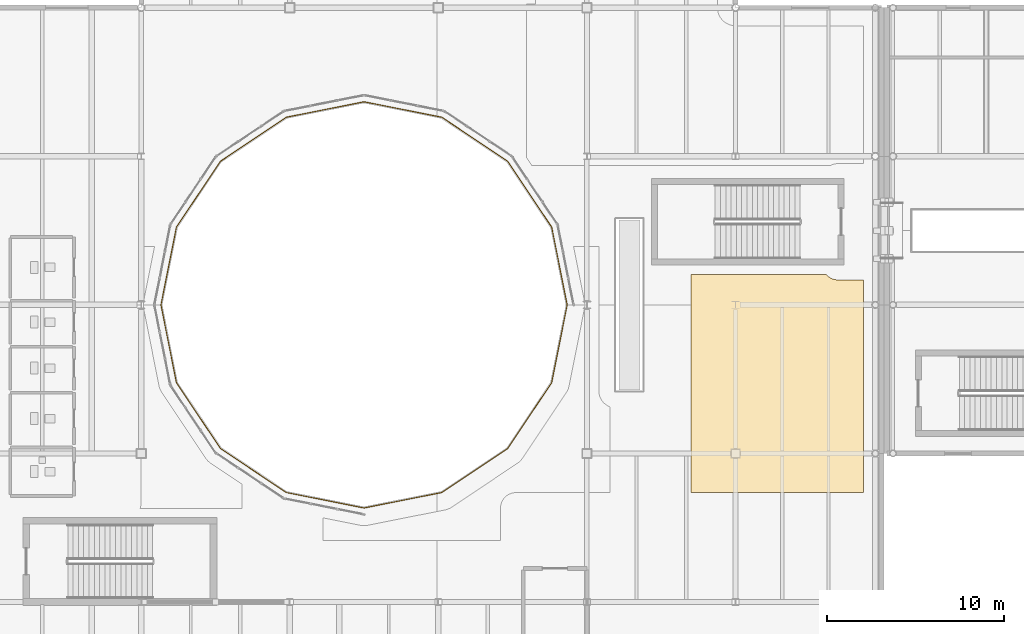
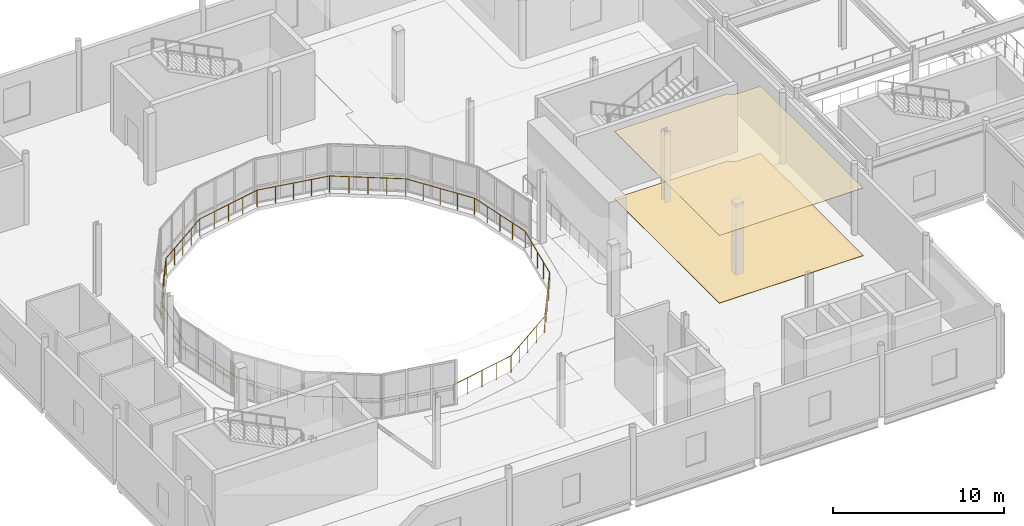
# One storey, part 88 of 103: 2 coverings, 1 railing.
"""IFC4 building model written with IfcOpenShell, lengths in metres."""

from ifc_helpers import new_model, si_unit, direction, frame, origin, origin_2d, place, context, subcontext, project, spatial, polyline, circle, outline, extrude, material, layer, layer_set, type_object, element, save


model = new_model("IFC4")

# Units and contexts
model_context = context("Model", 3, precision=1e-05, world=origin(), true_north=direction((0.0, 1.0)))
body_context = subcontext(model_context, "Body", "Model", "MODEL_VIEW")
ifc_project = project(units=[si_unit("LENGTHUNIT", "METRE"), si_unit("AREAUNIT", "SQUARE_METRE"), si_unit("VOLUMEUNIT", "CUBIC_METRE"), si_unit("PLANEANGLEUNIT", "RADIAN"), si_unit("MASSUNIT", "GRAM", prefix="KILO"), si_unit("THERMODYNAMICTEMPERATUREUNIT", "KELVIN")], contexts=[model_context])

# Site, building, storey
site_placement = place(None, origin())
site = spatial("IfcSite", under=ifc_project, at=site_placement, CompositionType="ELEMENT")
building_placement = place(site_placement, origin())
building = spatial("IfcBuilding", under=site, at=building_placement, Name="Lustrewick Department Store", CompositionType="ELEMENT")
storey_placement = place(building_placement, frame((0.0, 0.0, 16.5)))
storey = spatial("IfcBuildingStorey", under=building, at=storey_placement, Name="L04", CompositionType="ELEMENT", Elevation=16.5)

# Coverings
ifc_material_1 = material(Name="Perforated mineral-fibre acoustic ceiling board", Category="gypsum")
ifc_layer_1 = layer(ifc_material_1, 0.02490234375, Name="Perforated mineral-fibre acoustic ceiling board")
ifc_layer_set_1 = layer_set([ifc_layer_1], Name="Perforated mineral-fibre acoustic ceiling board")
covering_type_1 = type_object("IfcCoveringType", Name="COV-CEIL", PredefinedType="CEILING", material=ifc_layer_set_1)
covering_1_placement = place(storey_placement, frame((0.0, 0.0, 4.820068359375)))
element("IfcCovering", 1, at=covering_1_placement, inside=storey, type_object=covering_type_1, Name="L04 V1 Retail Merchandise Gallery 2 Acoustic Ceiling", PredefinedType="CEILING", context=body_context, shape_type="SweptSolid", body=[
    extrude(outline(polyline([(55.535400390625, 68.909912109375), (47.889892578125, 68.909912109375), (47.889892578125, 56.580078125), (57.6298828125, 56.580078125), (57.6298828125, 68.610107421875), (56.197021484375, 68.610107421875), (56.1123046875, 68.6142578125), (56.0283203125, 68.626708984375), (56.02490234375, 68.62744140625), (56.007568359375, 68.631103515625), (56.00439453125, 68.6318359375), (55.92138671875, 68.654541015625), (55.841552734375, 68.685302734375), (55.8388671875, 68.6865234375), (55.836181640625, 68.687744140625), (55.76953125, 68.72119140625), (55.765625, 68.723388671875), (55.7041015625, 68.760986328125), (55.64599609375, 68.803466796875), (55.641357421875, 68.80712890625), (55.570556640625, 68.87060546875), (55.535400390625, 68.909912109375)])), origin(), (0.0, 0.0, 1.0), 0.02490234375),
])
ifc_material_2 = material(Name="Polished terrazzo and porcelain floor finish", Category="masonry")
ifc_layer_2 = layer(ifc_material_2, 0.02001953125, Name="Polished terrazzo and porcelain floor finish")
ifc_layer_set_2 = layer_set([ifc_layer_2], Name="Polished terrazzo and porcelain floor finish")
covering_type_2 = type_object("IfcCoveringType", Name="COV-FLR", PredefinedType="FLOORING", material=ifc_layer_set_2)
covering_2_placement = place(storey_placement, origin())
element("IfcCovering", 2, at=covering_2_placement, inside=storey, type_object=covering_type_2, Name="L04 V1 Retail Merchandise Gallery 2 Terrazzo Flooring", PredefinedType="FLOORING", context=body_context, shape_type="SweptSolid", body=[
    extrude(outline(polyline([(55.535400390625, 68.909912109375), (47.889892578125, 68.909912109375), (47.889892578125, 56.580078125), (57.6298828125, 56.580078125), (57.6298828125, 68.610107421875), (56.197021484375, 68.610107421875), (56.1123046875, 68.6142578125), (56.0283203125, 68.626708984375), (56.02490234375, 68.62744140625), (56.007568359375, 68.631103515625), (56.00439453125, 68.6318359375), (55.92138671875, 68.654541015625), (55.841552734375, 68.685302734375), (55.8388671875, 68.6865234375), (55.836181640625, 68.687744140625), (55.76953125, 68.72119140625), (55.765625, 68.723388671875), (55.7041015625, 68.760986328125), (55.64599609375, 68.803466796875), (55.641357421875, 68.80712890625), (55.570556640625, 68.87060546875), (55.535400390625, 68.909912109375)])), origin(), (0.0, 0.0, 1.0), 0.02001953125),
])

# Railing
ifc_material_3 = material(Name="Laminated safety glass and bronze atrium balustrade", Category="glass")
railing_type = type_object("IfcRailingType", Name="RL-BAL", PredefinedType="BALUSTRADE", material=ifc_material_3)
railing_placement = place(storey_placement, frame((40.87841796875, 67.184326171875, 0.0)))
element("IfcRailing", 3, at=railing_placement, inside=storey, type_object=railing_type, Name="L04 Atrium Void Balustrade 0036", PredefinedType="BALUSTRADE", context=body_context, shape_type="SweptSolid", body=[
    extrude(circle(Radius=0.02392578125, at=origin_2d()), frame((0.0, 0.0, 1.17578125), z_axis=(-0.195071045556, -0.980789114533, 0.0), x_axis=(0.980789114533, -0.195071045556, 0.0)), (0.0, 0.0, 1.0), 4.447998046875),
    extrude(circle(Radius=0.02392578125, at=origin_2d()), frame((-0.86767578125, -4.362548828125, 1.17578125), z_axis=(-0.249878019022, -0.968277323709, 0.0), x_axis=(0.968277323709, -0.249878019022, 0.0)), (0.0, 0.0, 1.0), 0.0078125),
    extrude(circle(Radius=0.02392578125, at=origin_2d()), frame((-0.86962890625, -4.3701171875, 1.17578125), z_axis=(-0.344254649158, -0.938876315887, 0.0), x_axis=(0.938876315887, -0.344254649158, 0.0)), (0.0, 0.0, 1.0), 0.0078125),
    extrude(circle(Radius=0.02392578125, at=origin_2d()), frame((-0.872314453125, -4.37744140625, 1.17578125), z_axis=(-0.434749065831, -0.900551636365, 0.0), x_axis=(0.900551636365, -0.434749065831, 0.0)), (0.0, 0.0, 1.0), 0.0078125),
    extrude(circle(Radius=0.02392578125, at=origin_2d()), frame((-0.875732421875, -4.384521484375, 1.17578125), z_axis=(-0.496138938357, -0.868243142124, 0.0), x_axis=(0.868243142124, -0.496138938357, 0.0)), (0.0, 0.0, 1.0), 0.0078125),
    extrude(circle(Radius=0.02392578125, at=origin_2d()), frame((-0.879638671875, -4.391357421875, 1.17578125), z_axis=(-0.555561194947, -0.831475651279, 0.0), x_axis=(0.831475651279, -0.555561194947, 0.0)), (0.0, 0.0, 1.0), 4.447998046875),
    extrude(circle(Radius=0.02392578125, at=origin_2d()), frame((-3.350830078125, -8.08984375, 1.17578125), z_axis=(-0.60971076085, -0.792623989105, 0.0), x_axis=(0.792623989105, -0.60971076085, 0.0)), (0.0, 0.0, 1.0), 0.008056640625),
    extrude(circle(Radius=0.02392578125, at=origin_2d()), frame((-3.355712890625, -8.09619140625, 1.17578125), z_axis=(-0.674269364021, -0.738485493928, 0.0), x_axis=(0.738485493928, -0.674269364021, 0.0)), (0.0, 0.0, 1.0), 0.007568359375),
    extrude(circle(Radius=0.02392578125, at=origin_2d()), frame((-3.36083984375, -8.101806640625, 1.17578125), z_axis=(-0.737154140201, -0.675724628517, 0.0), x_axis=(0.675724628517, -0.737154140201, 0.0)), (0.0, 0.0, 1.0), 0.008056640625),
    extrude(circle(Radius=0.02392578125, at=origin_2d()), frame((-3.36669921875, -8.107177734375, 1.17578125), z_axis=(-0.807391122258, -0.590016589342, 0.0), x_axis=(0.590016589342, -0.807391122258, 0.0)), (0.0, 0.0, 1.0), 0.0078125),
    extrude(circle(Radius=0.02392578125, at=origin_2d()), frame((-3.373046875, -8.11181640625, 1.17578125), z_axis=(-0.831475651279, -0.555561194947, 0.0), x_axis=(0.555561194947, -0.831475651279, 0.0)), (0.0, 0.0, 1.0), 4.447998046875),
    extrude(circle(Radius=0.02392578125, at=origin_2d()), frame((-7.071533203125, -10.5830078125, 1.17578125), z_axis=(-0.84623284009, -0.532813269686, 0.0), x_axis=(0.532813269686, -0.84623284009, 0.0)), (0.0, 0.0, 1.0), 0.0078125),
    extrude(circle(Radius=0.02392578125, at=origin_2d()), frame((-7.078125, -10.587158203125, 1.17578125), z_axis=(-0.912509324515, -0.409055904093, 0.0), x_axis=(0.409055904093, -0.912509324515, 0.0)), (0.0, 0.0, 1.0), 0.0078125),
    extrude(circle(Radius=0.02392578125, at=origin_2d()), frame((-7.085205078125, -10.59033203125, 1.17578125), z_axis=(-0.938876315887, -0.344254649158, 0.0), x_axis=(0.344254649158, -0.938876315887, 0.0)), (0.0, 0.0, 1.0), 0.0078125),
    extrude(circle(Radius=0.02392578125, at=origin_2d()), frame((-7.092529296875, -10.593017578125, 1.17578125), z_axis=(-0.968277323709, -0.249878019022, 0.0), x_axis=(0.249878019022, -0.968277323709, 0.0)), (0.0, 0.0, 1.0), 0.0078125),
    extrude(circle(Radius=0.02392578125, at=origin_2d()), frame((-7.10009765625, -10.594970703125, 1.17578125), z_axis=(-0.980780701472, -0.195113340444, 0.0), x_axis=(0.195113340444, -0.980780701472, 0.0)), (0.0, 0.0, 1.0), 4.4482421875),
    extrude(circle(Radius=0.02392578125, at=origin_2d()), frame((-11.462890625, -11.462890625, 1.17578125), z_axis=(-0.992277876714, -0.124034734589, 0.0), x_axis=(0.124034734589, -0.992277876714, 0.0)), (0.0, 0.0, 1.0), 0.0078125),
    extrude(circle(Radius=0.02392578125, at=origin_2d()), frame((-11.470703125, -11.4638671875, 1.17578125), z_axis=(-0.998052578483, -0.062378286155, 0.0), x_axis=(0.062378286155, -0.998052578483, 0.0)), (0.0, 0.0, 1.0), 0.0078125),
    extrude(circle(Radius=0.02392578125, at=origin_2d()), frame((-11.478515625, -11.46435546875, 1.17578125), z_axis=(-0.998052578483, 0.062378286155, 0.0), x_axis=(-0.062378286155, -0.998052578483, 0.0)), (0.0, 0.0, 1.0), 0.0078125),
    extrude(circle(Radius=0.02392578125, at=origin_2d()), frame((-11.486328125, -11.4638671875, 1.17578125), z_axis=(-0.991777866634, 0.12797133763, 0.0), x_axis=(-0.12797133763, -0.991777866634, 0.0)), (0.0, 0.0, 1.0), 0.007568359375),
    extrude(circle(Radius=0.02392578125, at=origin_2d()), frame((-11.493896484375, -11.462890625, 1.17578125), z_axis=(-0.980780701472, 0.195113340444, 0.0), x_axis=(-0.195113340444, -0.980780701472, 0.0)), (0.0, 0.0, 1.0), 4.4482421875),
    extrude(circle(Radius=0.02392578125, at=origin_2d()), frame((-15.856689453125, -10.594970703125, 1.17578125), z_axis=(-0.968277323709, 0.249878019022, 0.0), x_axis=(-0.249878019022, -0.968277323709, 0.0)), (0.0, 0.0, 1.0), 0.0078125),
    extrude(circle(Radius=0.02392578125, at=origin_2d()), frame((-15.8642578125, -10.593017578125, 1.17578125), z_axis=(-0.938876315887, 0.344254649158, 0.0), x_axis=(-0.344254649158, -0.938876315887, 0.0)), (0.0, 0.0, 1.0), 0.0078125),
    extrude(circle(Radius=0.02392578125, at=origin_2d()), frame((-15.87158203125, -10.59033203125, 1.17578125), z_axis=(-0.912509324515, 0.409055904093, 0.0), x_axis=(-0.409055904093, -0.912509324515, 0.0)), (0.0, 0.0, 1.0), 0.0078125),
    extrude(circle(Radius=0.02392578125, at=origin_2d()), frame((-15.878662109375, -10.587158203125, 1.17578125), z_axis=(-0.854787515222, 0.518978134242, 0.0), x_axis=(-0.518978134242, -0.854787515222, 0.0)), (0.0, 0.0, 1.0), 0.008056640625),
    extrude(circle(Radius=0.02392578125, at=origin_2d()), frame((-15.885498046875, -10.5830078125, 1.17578125), z_axis=(-0.831458709496, 0.555586549876, 0.0), x_axis=(-0.555586549876, -0.831458709496, 0.0)), (0.0, 0.0, 1.0), 4.447998046875),
    extrude(circle(Radius=0.02392578125, at=origin_2d()), frame((-19.583740234375, -8.11181640625, 1.17578125), z_axis=(-0.817806419301, 0.575493406175, 0.0), x_axis=(-0.575493406175, -0.817806419301, 0.0)), (0.0, 0.0, 1.0), 0.008056640625),
    extrude(circle(Radius=0.02392578125, at=origin_2d()), frame((-19.59033203125, -8.107177734375, 1.17578125), z_axis=(-0.722641857148, 0.691222645967, 0.0), x_axis=(-0.691222645967, -0.722641857148, 0.0)), (0.0, 0.0, 1.0), 0.0078125),
    extrude(circle(Radius=0.02392578125, at=origin_2d()), frame((-19.595947265625, -8.101806640625, 1.17578125), z_axis=(-0.691222645967, 0.722641857148, 0.0), x_axis=(-0.722641857148, -0.691222645967, 0.0)), (0.0, 0.0, 1.0), 0.0078125),
    extrude(circle(Radius=0.02392578125, at=origin_2d()), frame((-19.601318359375, -8.09619140625, 1.17578125), z_axis=(-0.590016589342, 0.807391122258, 0.0), x_axis=(-0.807391122258, -0.590016589342, 0.0)), (0.0, 0.0, 1.0), 0.0078125),
    extrude(circle(Radius=0.02392578125, at=origin_2d()), frame((-19.60595703125, -8.08984375, 1.17578125), z_axis=(-0.555561194947, 0.831475651279, 0.0), x_axis=(-0.831475651279, -0.555561194947, 0.0)), (0.0, 0.0, 1.0), 4.447998046875),
    extrude(circle(Radius=0.02392578125, at=origin_2d()), frame((-22.0771484375, -4.391357421875, 1.17578125), z_axis=(-0.518978134242, 0.854787515222, 0.0), x_axis=(-0.854787515222, -0.518978134242, 0.0)), (0.0, 0.0, 1.0), 0.008056640625),
    extrude(circle(Radius=0.02392578125, at=origin_2d()), frame((-22.081298828125, -4.384521484375, 1.17578125), z_axis=(-0.409055904093, 0.912509324515, 0.0), x_axis=(-0.912509324515, -0.409055904093, 0.0)), (0.0, 0.0, 1.0), 0.0078125),
    extrude(circle(Radius=0.02392578125, at=origin_2d()), frame((-22.08447265625, -4.37744140625, 1.17578125), z_axis=(-0.344254649158, 0.938876315887, 0.0), x_axis=(-0.938876315887, -0.344254649158, 0.0)), (0.0, 0.0, 1.0), 0.0078125),
    extrude(circle(Radius=0.02392578125, at=origin_2d()), frame((-22.087158203125, -4.3701171875, 1.17578125), z_axis=(-0.249878019022, 0.968277323709, 0.0), x_axis=(-0.968277323709, -0.249878019022, 0.0)), (0.0, 0.0, 1.0), 0.0078125),
    extrude(circle(Radius=0.02392578125, at=origin_2d()), frame((-22.089111328125, -4.362548828125, 1.17578125), z_axis=(-0.195123843826, 0.980778611905, 0.0), x_axis=(-0.980778611905, -0.195123843826, 0.0)), (0.0, 0.0, 1.0), 4.447998046875),
    extrude(circle(Radius=0.02392578125, at=origin_2d()), frame((-22.95703125, 0.0, 1.17578125), z_axis=(-0.124034734589, 0.992277876714, 0.0), x_axis=(-0.992277876714, -0.124034734589, 0.0)), (0.0, 0.0, 1.0), 0.0078125),
    extrude(circle(Radius=0.02392578125, at=origin_2d()), frame((-22.9580078125, 0.0078125, 1.17578125), z_axis=(-0.062378286155, 0.998052578483, 0.0), x_axis=(-0.998052578483, -0.062378286155, 0.0)), (0.0, 0.0, 1.0), 0.0078125),
    extrude(circle(Radius=0.02392578125, at=origin_2d()), frame((-22.95849609375, 0.015625, 1.17578125), z_axis=(0.062378286155, 0.998052578483, 0.0), x_axis=(-0.998052578483, 0.062378286155, 0.0)), (0.0, 0.0, 1.0), 0.0078125),
    extrude(circle(Radius=0.02392578125, at=origin_2d()), frame((-22.9580078125, 0.0234375, 1.17578125), z_axis=(0.124034734589, 0.992277876714, 0.0), x_axis=(-0.992277876714, 0.124034734589, 0.0)), (0.0, 0.0, 1.0), 0.0078125),
    extrude(circle(Radius=0.02392578125, at=origin_2d()), frame((-22.95703125, 0.03125, 1.17578125), z_axis=(0.195123843826, 0.980778611905, 0.0), x_axis=(-0.980778611905, 0.195123843826, 0.0)), (0.0, 0.0, 1.0), 4.447998046875),
    extrude(circle(Radius=0.02392578125, at=origin_2d()), frame((-22.089111328125, 4.393798828125, 1.17578125), z_axis=(0.249878019022, 0.968277323709, 0.0), x_axis=(-0.968277323709, 0.249878019022, 0.0)), (0.0, 0.0, 1.0), 0.0078125),
    extrude(circle(Radius=0.02392578125, at=origin_2d()), frame((-22.087158203125, 4.4013671875, 1.17578125), z_axis=(0.334409845171, 0.942427745481, 0.0), x_axis=(-0.942427745481, 0.334409845171, 0.0)), (0.0, 0.0, 1.0), 0.008056640625),
    extrude(circle(Radius=0.02392578125, at=origin_2d()), frame((-22.08447265625, 4.408935546875, 1.17578125), z_axis=(0.409055904093, 0.912509324515, 0.0), x_axis=(-0.912509324515, 0.409055904093, 0.0)), (0.0, 0.0, 1.0), 0.0078125),
    extrude(circle(Radius=0.02392578125, at=origin_2d()), frame((-22.081298828125, 4.416015625, 1.17578125), z_axis=(0.532813269686, 0.84623284009, 0.0), x_axis=(-0.84623284009, 0.532813269686, 0.0)), (0.0, 0.0, 1.0), 0.0078125),
    extrude(circle(Radius=0.02392578125, at=origin_2d()), frame((-22.0771484375, 4.422607421875, 1.17578125), z_axis=(0.555561194947, 0.831475651279, 0.0), x_axis=(-0.831475651279, 0.555561194947, 0.0)), (0.0, 0.0, 1.0), 4.447998046875),
    extrude(circle(Radius=0.02392578125, at=origin_2d()), frame((-19.60595703125, 8.12109375, 1.17578125), z_axis=(0.590016589342, 0.807391122258, 0.0), x_axis=(-0.807391122258, 0.590016589342, 0.0)), (0.0, 0.0, 1.0), 0.0078125),
    extrude(circle(Radius=0.02392578125, at=origin_2d()), frame((-19.601318359375, 8.12744140625, 1.17578125), z_axis=(0.675724628517, 0.737154140201, 0.0), x_axis=(-0.737154140201, 0.675724628517, 0.0)), (0.0, 0.0, 1.0), 0.008056640625),
    extrude(circle(Radius=0.02392578125, at=origin_2d()), frame((-19.595947265625, 8.13330078125, 1.17578125), z_axis=(0.738485493928, 0.674269364021, 0.0), x_axis=(-0.674269364021, 0.738485493928, 0.0)), (0.0, 0.0, 1.0), 0.007568359375),
    extrude(circle(Radius=0.02392578125, at=origin_2d()), frame((-19.59033203125, 8.138427734375, 1.17578125), z_axis=(0.817806419301, 0.575493406175, 0.0), x_axis=(-0.575493406175, 0.817806419301, 0.0)), (0.0, 0.0, 1.0), 0.008056640625),
    extrude(circle(Radius=0.02392578125, at=origin_2d()), frame((-19.583740234375, 8.14306640625, 1.17578125), z_axis=(0.831458709496, 0.555586549876, 0.0), x_axis=(-0.555586549876, 0.831458709496, 0.0)), (0.0, 0.0, 1.0), 4.447998046875),
    extrude(circle(Radius=0.02392578125, at=origin_2d()), frame((-15.885498046875, 10.6142578125, 1.17578125), z_axis=(0.854787515222, 0.518978134242, 0.0), x_axis=(-0.518978134242, 0.854787515222, 0.0)), (0.0, 0.0, 1.0), 0.008056640625),
    extrude(circle(Radius=0.02392578125, at=origin_2d()), frame((-15.878662109375, 10.618408203125, 1.17578125), z_axis=(0.900551636365, 0.434749065831, 0.0), x_axis=(-0.434749065831, 0.900551636365, 0.0)), (0.0, 0.0, 1.0), 0.0078125),
    extrude(circle(Radius=0.02392578125, at=origin_2d()), frame((-15.87158203125, 10.621826171875, 1.17578125), z_axis=(0.938876315887, 0.344254649158, 0.0), x_axis=(-0.344254649158, 0.938876315887, 0.0)), (0.0, 0.0, 1.0), 0.0078125),
    extrude(circle(Radius=0.02392578125, at=origin_2d()), frame((-15.8642578125, 10.62451171875, 1.17578125), z_axis=(0.968277323709, 0.249878019022, 0.0), x_axis=(-0.249878019022, 0.968277323709, 0.0)), (0.0, 0.0, 1.0), 0.0078125),
    extrude(circle(Radius=0.02392578125, at=origin_2d()), frame((-15.856689453125, 10.62646484375, 1.17578125), z_axis=(0.980791202991, 0.195060544792, 0.0), x_axis=(-0.195060544792, 0.980791202991, 0.0)), (0.0, 0.0, 1.0), 4.4482421875),
    extrude(circle(Radius=0.02392578125, at=origin_2d()), frame((-11.493896484375, 11.494140625, 1.17578125), z_axis=(0.987241120713, 0.159232438825, 0.0), x_axis=(-0.159232438825, 0.987241120713, 0.0)), (0.0, 0.0, 1.0), 0.007568359375),
    extrude(circle(Radius=0.02392578125, at=origin_2d()), frame((-11.486328125, 11.495361328125, 1.17578125), z_axis=(0.999512076087, 0.031234752378, 0.0), x_axis=(-0.031234752378, 0.999512076087, 0.0)), (0.0, 0.0, 1.0), 0.0078125),
    extrude(circle(Radius=0.02392578125, at=origin_2d()), frame((-11.478515625, 11.49560546875, 1.17578125), z_axis=(0.999512076087, -0.031234752378, 0.0), x_axis=(0.031234752378, 0.999512076087, 0.0)), (0.0, 0.0, 1.0), 0.0078125),
    extrude(circle(Radius=0.02392578125, at=origin_2d()), frame((-11.470703125, 11.495361328125, 1.17578125), z_axis=(0.988012033751, -0.154376880274, 0.0), x_axis=(0.154376880274, 0.988012033751, 0.0)), (0.0, 0.0, 1.0), 0.0078125),
    extrude(circle(Radius=0.02392578125, at=origin_2d()), frame((-11.462890625, 11.494140625, 1.17578125), z_axis=(0.980791202991, -0.195060544792, 0.0), x_axis=(0.195060544792, 0.980791202991, 0.0)), (0.0, 0.0, 1.0), 4.4482421875),
    extrude(circle(Radius=0.02392578125, at=origin_2d()), frame((-7.10009765625, 10.62646484375, 1.17578125), z_axis=(0.968277323709, -0.249878019022, 0.0), x_axis=(0.249878019022, 0.968277323709, 0.0)), (0.0, 0.0, 1.0), 0.0078125),
    extrude(circle(Radius=0.02392578125, at=origin_2d()), frame((-7.092529296875, 10.62451171875, 1.17578125), z_axis=(0.938876315887, -0.344254649158, 0.0), x_axis=(0.344254649158, 0.938876315887, 0.0)), (0.0, 0.0, 1.0), 0.0078125),
    extrude(circle(Radius=0.02392578125, at=origin_2d()), frame((-7.085205078125, 10.621826171875, 1.17578125), z_axis=(0.900551636365, -0.434749065831, 0.0), x_axis=(0.434749065831, 0.900551636365, 0.0)), (0.0, 0.0, 1.0), 0.0078125),
    extrude(circle(Radius=0.02392578125, at=origin_2d()), frame((-7.078125, 10.618408203125, 1.17578125), z_axis=(0.84623284009, -0.532813269686, 0.0), x_axis=(0.532813269686, 0.84623284009, 0.0)), (0.0, 0.0, 1.0), 0.0078125),
    extrude(circle(Radius=0.02392578125, at=origin_2d()), frame((-7.071533203125, 10.6142578125, 1.17578125), z_axis=(0.831475651279, -0.555561194947, 0.0), x_axis=(0.555561194947, 0.831475651279, 0.0)), (0.0, 0.0, 1.0), 4.447998046875),
    extrude(circle(Radius=0.02392578125, at=origin_2d()), frame((-3.373046875, 8.14306640625, 1.17578125), z_axis=(0.807391122258, -0.590016589342, 0.0), x_axis=(0.590016589342, 0.807391122258, 0.0)), (0.0, 0.0, 1.0), 0.0078125),
    extrude(circle(Radius=0.02392578125, at=origin_2d()), frame((-3.36669921875, 8.138427734375, 1.17578125), z_axis=(0.752576694707, -0.658504607869, 0.0), x_axis=(0.658504607869, 0.752576694707, 0.0)), (0.0, 0.0, 1.0), 0.0078125),
    extrude(circle(Radius=0.02392578125, at=origin_2d()), frame((-3.36083984375, 8.13330078125, 1.17578125), z_axis=(0.658504607869, -0.752576694707, 0.0), x_axis=(0.752576694707, 0.658504607869, 0.0)), (0.0, 0.0, 1.0), 0.0078125),
    extrude(circle(Radius=0.02392578125, at=origin_2d()), frame((-3.355712890625, 8.12744140625, 1.17578125), z_axis=(0.60971076085, -0.792623989105, 0.0), x_axis=(0.792623989105, 0.60971076085, 0.0)), (0.0, 0.0, 1.0), 0.008056640625),
    extrude(circle(Radius=0.02392578125, at=origin_2d()), frame((-3.350830078125, 8.12109375, 1.17578125), z_axis=(0.555561194947, -0.831475651279, 0.0), x_axis=(0.831475651279, 0.555561194947, 0.0)), (0.0, 0.0, 1.0), 4.447998046875),
    extrude(circle(Radius=0.02392578125, at=origin_2d()), frame((-0.879638671875, 4.422607421875, 1.17578125), z_axis=(0.509802390302, -0.860291533634, 0.0), x_axis=(0.860291533634, 0.509802390302, 0.0)), (0.0, 0.0, 1.0), 0.007568359375),
    extrude(circle(Radius=0.02392578125, at=origin_2d()), frame((-0.875732421875, 4.416015625, 1.17578125), z_axis=(0.434749065831, -0.900551636365, 0.0), x_axis=(0.900551636365, 0.434749065831, 0.0)), (0.0, 0.0, 1.0), 0.0078125),
    extrude(circle(Radius=0.02392578125, at=origin_2d()), frame((-0.872314453125, 4.408935546875, 1.17578125), z_axis=(0.334409845171, -0.942427745481, 0.0), x_axis=(0.942427745481, 0.334409845171, 0.0)), (0.0, 0.0, 1.0), 0.008056640625),
    extrude(circle(Radius=0.02392578125, at=origin_2d()), frame((-0.86962890625, 4.4013671875, 1.17578125), z_axis=(0.249878019022, -0.968277323709, 0.0), x_axis=(0.968277323709, 0.249878019022, 0.0)), (0.0, 0.0, 1.0), 0.0078125),
    extrude(circle(Radius=0.02392578125, at=origin_2d()), frame((-0.86767578125, 4.393798828125, 1.17578125), z_axis=(0.195071045556, -0.980789114533, 0.0), x_axis=(0.980789114533, 0.195071045556, 0.0)), (0.0, 0.0, 1.0), 4.447998046875),
    extrude(circle(Radius=0.02392578125, at=origin_2d()), frame((0.0, 0.03125, 1.17578125), z_axis=(0.154376880274, -0.988012033751, 0.0), x_axis=(0.988012033751, 0.154376880274, 0.0)), (0.0, 0.0, 1.0), 0.0078125),
    extrude(circle(Radius=0.02392578125, at=origin_2d()), frame((0.001220703125, 0.0234375, 1.17578125), z_axis=(0.031234752378, -0.999512076087, 0.0), x_axis=(0.999512076087, 0.031234752378, 0.0)), (0.0, 0.0, 1.0), 0.0078125),
    extrude(circle(Radius=0.02392578125, at=origin_2d()), frame((0.00146484375, 0.015625, 1.17578125), z_axis=(-0.031234752378, -0.999512076087, 0.0), x_axis=(0.999512076087, -0.031234752378, 0.0)), (0.0, 0.0, 1.0), 0.0078125),
    extrude(circle(Radius=0.02392578125, at=origin_2d()), frame((0.001220703125, 0.0078125, 1.17578125), z_axis=(-0.154376880274, -0.988012033751, 0.0), x_axis=(0.988012033751, -0.154376880274, 0.0)), (0.0, 0.0, 1.0), 0.0078125),
    extrude(circle(Radius=0.02099609375, at=origin_2d()), origin(), (0.0, 0.0, 1.0), 1.15185546875),
    extrude(circle(Radius=0.02099609375, at=origin_2d()), frame((-0.216796875, -1.090576171875, 0.0)), (0.0, 0.0, 1.0), 1.15185546875),
    extrude(circle(Radius=0.02099609375, at=origin_2d()), frame((-0.433837890625, -2.18115234375, 0.0)), (0.0, 0.0, 1.0), 1.15185546875),
    extrude(circle(Radius=0.02099609375, at=origin_2d()), frame((-0.65087890625, -3.27197265625, 0.0)), (0.0, 0.0, 1.0), 1.15185546875),
    extrude(circle(Radius=0.02099609375, at=origin_2d()), frame((-0.86767578125, -4.362548828125, 0.0)), (0.0, 0.0, 1.0), 1.15185546875),
    extrude(circle(Radius=0.02099609375, at=origin_2d()), frame((-1.49755859375, -5.31591796875, 0.0)), (0.0, 0.0, 1.0), 1.15185546875),
    extrude(circle(Radius=0.02099609375, at=origin_2d()), frame((-2.115234375, -6.24072265625, 0.0)), (0.0, 0.0, 1.0), 1.15185546875),
    extrude(circle(Radius=0.02099609375, at=origin_2d()), frame((-2.73291015625, -7.165283203125, 0.0)), (0.0, 0.0, 1.0), 1.15185546875),
    extrude(circle(Radius=0.02099609375, at=origin_2d()), frame((-3.350830078125, -8.08984375, 0.0)), (0.0, 0.0, 1.0), 1.15185546875),
    extrude(circle(Radius=0.02099609375, at=origin_2d()), frame((-4.297607421875, -8.7294921875, 0.0)), (0.0, 0.0, 1.0), 1.15185546875),
    extrude(circle(Radius=0.02099609375, at=origin_2d()), frame((-5.22216796875, -9.347412109375, 0.0)), (0.0, 0.0, 1.0), 1.15185546875),
    extrude(circle(Radius=0.02099609375, at=origin_2d()), frame((-6.14697265625, -9.96533203125, 0.0)), (0.0, 0.0, 1.0), 1.15185546875),
    extrude(circle(Radius=0.02099609375, at=origin_2d()), frame((-7.071533203125, -10.5830078125, 0.0)), (0.0, 0.0, 1.0), 1.15185546875),
    extrude(circle(Radius=0.02099609375, at=origin_2d()), frame((-8.19091796875, -10.81201171875, 0.0)), (0.0, 0.0, 1.0), 1.15185546875),
    extrude(circle(Radius=0.02099609375, at=origin_2d()), frame((-9.281494140625, -11.02880859375, 0.0)), (0.0, 0.0, 1.0), 1.15185546875),
    extrude(circle(Radius=0.02099609375, at=origin_2d()), frame((-10.3720703125, -11.245849609375, 0.0)), (0.0, 0.0, 1.0), 1.15185546875),
    extrude(circle(Radius=0.02099609375, at=origin_2d()), frame((-11.462890625, -11.462890625, 0.0)), (0.0, 0.0, 1.0), 1.15185546875),
    extrude(circle(Radius=0.02099609375, at=origin_2d()), frame((-12.58447265625, -11.245849609375, 0.0)), (0.0, 0.0, 1.0), 1.15185546875),
    extrude(circle(Radius=0.02099609375, at=origin_2d()), frame((-13.67529296875, -11.02880859375, 0.0)), (0.0, 0.0, 1.0), 1.15185546875),
    extrude(circle(Radius=0.02099609375, at=origin_2d()), frame((-14.76611328125, -10.81201171875, 0.0)), (0.0, 0.0, 1.0), 1.15185546875),
    extrude(circle(Radius=0.02099609375, at=origin_2d()), frame((-15.856689453125, -10.594970703125, 0.0)), (0.0, 0.0, 1.0), 1.15185546875),
    extrude(circle(Radius=0.02099609375, at=origin_2d()), frame((-16.81005859375, -9.96533203125, 0.0)), (0.0, 0.0, 1.0), 1.15185546875),
    extrude(circle(Radius=0.02099609375, at=origin_2d()), frame((-17.734619140625, -9.347412109375, 0.0)), (0.0, 0.0, 1.0), 1.15185546875),
    extrude(circle(Radius=0.02099609375, at=origin_2d()), frame((-18.6591796875, -8.7294921875, 0.0)), (0.0, 0.0, 1.0), 1.15185546875),
    extrude(circle(Radius=0.02099609375, at=origin_2d()), frame((-19.583740234375, -8.11181640625, 0.0)), (0.0, 0.0, 1.0), 1.15185546875),
    extrude(circle(Radius=0.02099609375, at=origin_2d()), frame((-20.2236328125, -7.165283203125, 0.0)), (0.0, 0.0, 1.0), 1.15185546875),
    extrude(circle(Radius=0.02099609375, at=origin_2d()), frame((-20.841552734375, -6.24072265625, 0.0)), (0.0, 0.0, 1.0), 1.15185546875),
    extrude(circle(Radius=0.02099609375, at=origin_2d()), frame((-21.45947265625, -5.31591796875, 0.0)), (0.0, 0.0, 1.0), 1.15185546875),
    extrude(circle(Radius=0.02099609375, at=origin_2d()), frame((-22.0771484375, -4.391357421875, 0.0)), (0.0, 0.0, 1.0), 1.15185546875),
    extrude(circle(Radius=0.02099609375, at=origin_2d()), frame((-22.30615234375, -3.27197265625, 0.0)), (0.0, 0.0, 1.0), 1.15185546875),
    extrude(circle(Radius=0.02099609375, at=origin_2d()), frame((-22.52294921875, -2.18115234375, 0.0)), (0.0, 0.0, 1.0), 1.15185546875),
    extrude(circle(Radius=0.02099609375, at=origin_2d()), frame((-22.739990234375, -1.090576171875, 0.0)), (0.0, 0.0, 1.0), 1.15185546875),
    extrude(circle(Radius=0.02099609375, at=origin_2d()), frame((-22.95703125, 0.0, 0.0)), (0.0, 0.0, 1.0), 1.15185546875),
    extrude(circle(Radius=0.02099609375, at=origin_2d()), frame((-22.739990234375, 1.121826171875, 0.0)), (0.0, 0.0, 1.0), 1.15185546875),
    extrude(circle(Radius=0.02099609375, at=origin_2d()), frame((-22.52294921875, 2.21240234375, 0.0)), (0.0, 0.0, 1.0), 1.15185546875),
    extrude(circle(Radius=0.02099609375, at=origin_2d()), frame((-22.30615234375, 3.30322265625, 0.0)), (0.0, 0.0, 1.0), 1.15185546875),
    extrude(circle(Radius=0.02099609375, at=origin_2d()), frame((-22.089111328125, 4.393798828125, 0.0)), (0.0, 0.0, 1.0), 1.15185546875),
    extrude(circle(Radius=0.02099609375, at=origin_2d()), frame((-21.45947265625, 5.34716796875, 0.0)), (0.0, 0.0, 1.0), 1.15185546875),
    extrude(circle(Radius=0.02099609375, at=origin_2d()), frame((-20.841552734375, 6.27197265625, 0.0)), (0.0, 0.0, 1.0), 1.15185546875),
    extrude(circle(Radius=0.02099609375, at=origin_2d()), frame((-20.2236328125, 7.196533203125, 0.0)), (0.0, 0.0, 1.0), 1.15185546875),
    extrude(circle(Radius=0.02099609375, at=origin_2d()), frame((-19.60595703125, 8.12109375, 0.0)), (0.0, 0.0, 1.0), 1.15185546875),
    extrude(circle(Radius=0.02099609375, at=origin_2d()), frame((-18.6591796875, 8.7607421875, 0.0)), (0.0, 0.0, 1.0), 1.15185546875),
    extrude(circle(Radius=0.02099609375, at=origin_2d()), frame((-17.734619140625, 9.378662109375, 0.0)), (0.0, 0.0, 1.0), 1.15185546875),
    extrude(circle(Radius=0.02099609375, at=origin_2d()), frame((-16.81005859375, 9.99658203125, 0.0)), (0.0, 0.0, 1.0), 1.15185546875),
    extrude(circle(Radius=0.02099609375, at=origin_2d()), frame((-15.885498046875, 10.6142578125, 0.0)), (0.0, 0.0, 1.0), 1.15185546875),
    extrude(circle(Radius=0.02099609375, at=origin_2d()), frame((-14.76611328125, 10.84326171875, 0.0)), (0.0, 0.0, 1.0), 1.15185546875),
    extrude(circle(Radius=0.02099609375, at=origin_2d()), frame((-13.67529296875, 11.060302734375, 0.0)), (0.0, 0.0, 1.0), 1.15185546875),
    extrude(circle(Radius=0.02099609375, at=origin_2d()), frame((-12.58447265625, 11.27734375, 0.0)), (0.0, 0.0, 1.0), 1.15185546875),
    extrude(circle(Radius=0.02099609375, at=origin_2d()), frame((-11.493896484375, 11.494140625, 0.0)), (0.0, 0.0, 1.0), 1.15185546875),
    extrude(circle(Radius=0.02099609375, at=origin_2d()), frame((-10.3720703125, 11.27734375, 0.0)), (0.0, 0.0, 1.0), 1.15185546875),
    extrude(circle(Radius=0.02099609375, at=origin_2d()), frame((-9.281494140625, 11.060302734375, 0.0)), (0.0, 0.0, 1.0), 1.15185546875),
    extrude(circle(Radius=0.02099609375, at=origin_2d()), frame((-8.19091796875, 10.84326171875, 0.0)), (0.0, 0.0, 1.0), 1.15185546875),
    extrude(circle(Radius=0.02099609375, at=origin_2d()), frame((-7.10009765625, 10.62646484375, 0.0)), (0.0, 0.0, 1.0), 1.15185546875),
    extrude(circle(Radius=0.02099609375, at=origin_2d()), frame((-6.14697265625, 9.99658203125, 0.0)), (0.0, 0.0, 1.0), 1.15185546875),
    extrude(circle(Radius=0.02099609375, at=origin_2d()), frame((-5.22216796875, 9.378662109375, 0.0)), (0.0, 0.0, 1.0), 1.15185546875),
    extrude(circle(Radius=0.02099609375, at=origin_2d()), frame((-4.297607421875, 8.7607421875, 0.0)), (0.0, 0.0, 1.0), 1.15185546875),
    extrude(circle(Radius=0.02099609375, at=origin_2d()), frame((-3.373046875, 8.14306640625, 0.0)), (0.0, 0.0, 1.0), 1.15185546875),
    extrude(circle(Radius=0.02099609375, at=origin_2d()), frame((-2.73291015625, 7.196533203125, 0.0)), (0.0, 0.0, 1.0), 1.15185546875),
    extrude(circle(Radius=0.02099609375, at=origin_2d()), frame((-2.115234375, 6.27197265625, 0.0)), (0.0, 0.0, 1.0), 1.15185546875),
    extrude(circle(Radius=0.02099609375, at=origin_2d()), frame((-1.49755859375, 5.34716796875, 0.0)), (0.0, 0.0, 1.0), 1.15185546875),
    extrude(circle(Radius=0.02099609375, at=origin_2d()), frame((-0.879638671875, 4.422607421875, 0.0)), (0.0, 0.0, 1.0), 1.15185546875),
    extrude(circle(Radius=0.02099609375, at=origin_2d()), frame((-0.65087890625, 3.30322265625, 0.0)), (0.0, 0.0, 1.0), 1.15185546875),
    extrude(circle(Radius=0.02099609375, at=origin_2d()), frame((-0.433837890625, 2.21240234375, 0.0)), (0.0, 0.0, 1.0), 1.15185546875),
    extrude(circle(Radius=0.02099609375, at=origin_2d()), frame((-0.216796875, 1.121826171875, 0.0)), (0.0, 0.0, 1.0), 1.15185546875),
])

save(model, "model.ifc")
